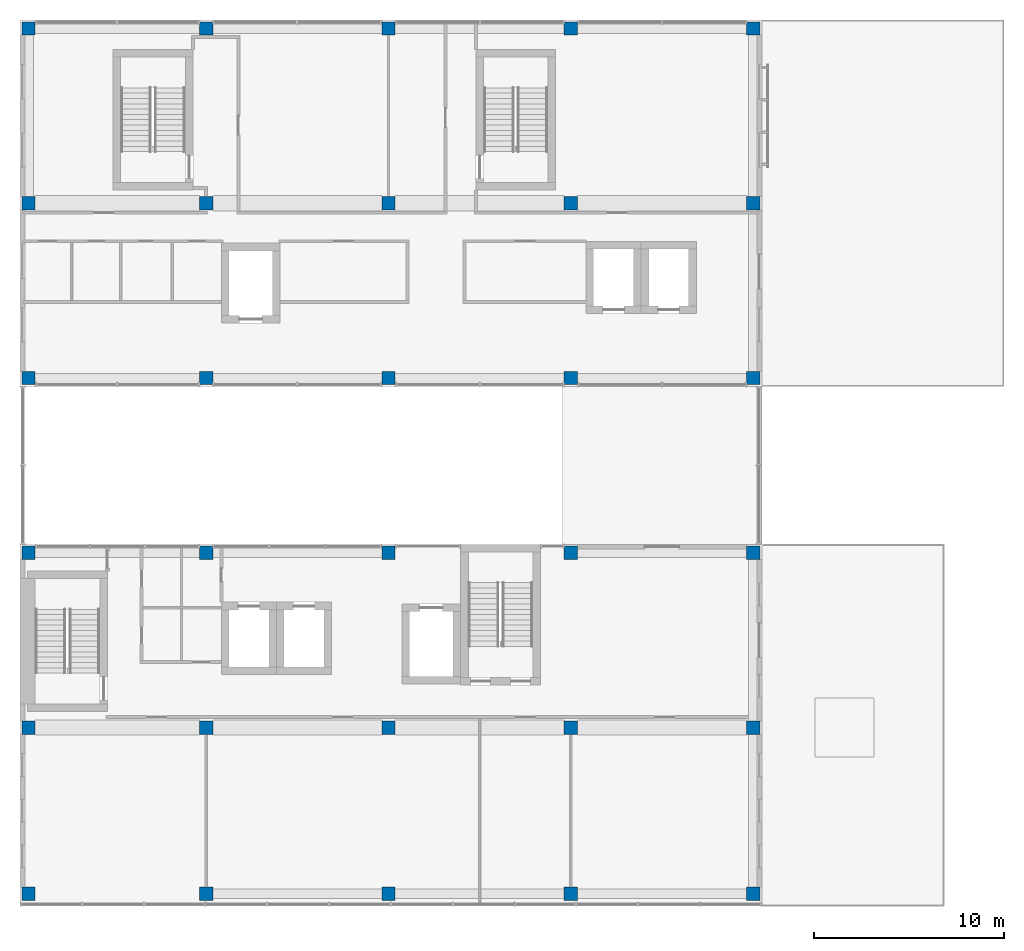
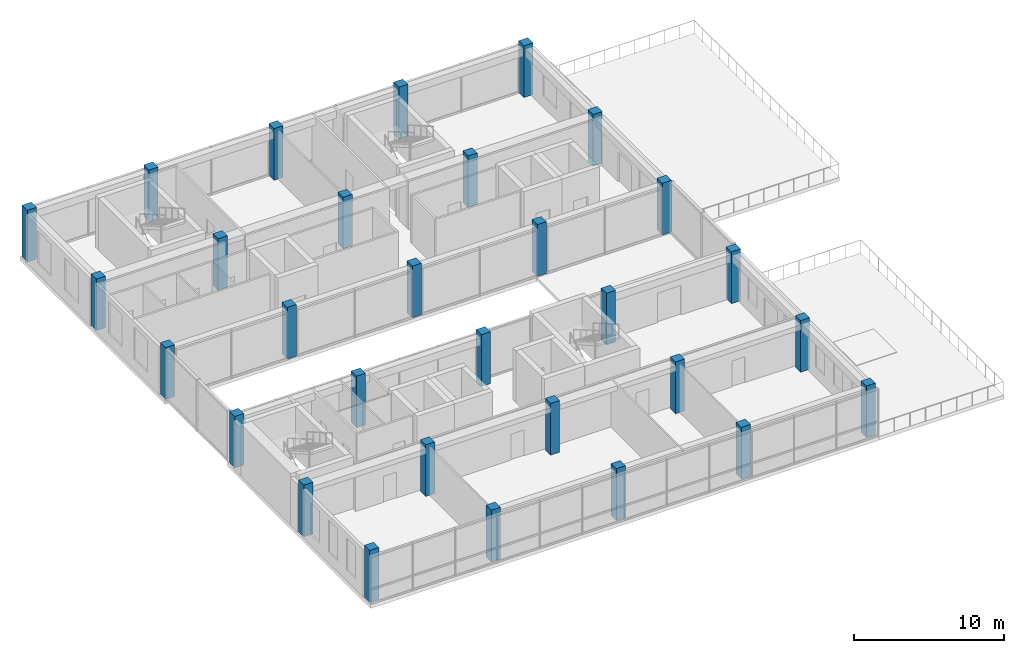
# One storey, part 1 of 27: 30 columns.
"""IFC4 building model written with IfcOpenShell, lengths in metres."""

from ifc_helpers import new_model, si_unit, direction, frame, origin, origin_2d, place, context, subcontext, project, spatial, rectangle, extrude, material, material_profile, profile_set, type_object, element, save


model = new_model("IFC4")

# Units and contexts
model_context = context("Model", 3, precision=1e-05, world=origin(), true_north=direction((0.0, 1.0)))
body_context = subcontext(model_context, "Body", "Model", "MODEL_VIEW")
ifc_project = project(units=[si_unit("LENGTHUNIT", "METRE"), si_unit("AREAUNIT", "SQUARE_METRE"), si_unit("VOLUMEUNIT", "CUBIC_METRE"), si_unit("PLANEANGLEUNIT", "RADIAN"), si_unit("MASSUNIT", "GRAM", prefix="KILO")], contexts=[model_context])

# Site, building, storey
site_placement = place(None, origin())
site = spatial("IfcSite", under=ifc_project, at=site_placement, CompositionType="ELEMENT")
building_placement = place(site_placement, origin())
building = spatial("IfcBuilding", under=site, at=building_placement, Name="Nzadi Deep Aquarium and Research Tower", CompositionType="ELEMENT")
storey_placement = place(building_placement, frame((0.0, 0.0, 69.699951171875)))
storey = spatial("IfcBuildingStorey", under=building, at=storey_placement, Name="L14", CompositionType="ELEMENT", Elevation=69.699951171875)

# Columns
ifc_material = material(Name="Concrete C40/50", Category="concrete")
ifc_material_profile = material_profile(ifc_material, rectangle(XDim=0.699951171875, YDim=0.699951171875, at=origin_2d()))
ifc_profile_set = profile_set([ifc_material_profile], Name="Concrete C40/50")
column_type = type_object("IfcColumnType", Name="RC 700x700", PredefinedType="COLUMN", material=ifc_profile_set)
for number, where, z_axis, x_axis, name in (
    (1, (0.25, 0.449951171875, 0.0), (0.0, 0.0, 1.0), (1.0, 0.0, 0.0), "C-Z1-L14-A1"),
    (2, (9.60009765625, 0.449951171875, 0.0), (0.0, 0.0, 1.0), (1.0, 0.0, 0.0), "C-Z1-L14-B1"),
    (3, (19.199951171875, 0.449951171875, 0.0), (0.0, 0.0, 1.0), (1.0, 0.0, 0.0), "C-Z1-L14-C1"),
    (4, (28.800048828125, 0.449951171875, 0.0), (0.0, 0.0, 1.0), (1.0, 0.0, 0.0), "C-Z1-L14-D1"),
    (5, (38.39990234375, 0.449951171875, 0.0), (0.0, 0.0, 1.0), (1.0, 0.0, 0.0), "C-Z1-L14-E1"),
    (6, (0.25, 9.199951171875, 0.0), (0.0, 0.0, 1.0), (1.0, 0.0, 0.0), "C-Z1-L14-A2"),
    (7, (9.60009765625, 9.199951171875, 0.0), (0.0, 0.0, 1.0), (1.0, 0.0, 0.0), "C-Z1-L14-B2"),
    (8, (19.199951171875, 9.199951171875, 0.0), (0.0, 0.0, 1.0), (1.0, 0.0, 0.0), "C-Z1-L14-C2"),
    (9, (28.800048828125, 9.199951171875, 0.0), (0.0, 0.0, 1.0), (1.0, 0.0, 0.0), "C-Z1-L14-D2"),
    (10, (38.39990234375, 9.199951171875, 0.0), (0.0, 0.0, 1.0), (1.0, 0.0, 0.0), "C-Z1-L14-E2"),
    (11, (0.25, 18.39990234375, 0.0), (0.0, 0.0, 1.0), (1.0, 0.0, 0.0), "C-Z1-L14-A3"),
    (12, (9.60009765625, 18.39990234375, 0.0), (0.0, 0.0, 1.0), (1.0, 0.0, 0.0), "C-Z1-L14-B3"),
    (13, (19.199951171875, 18.39990234375, 0.0), (0.0, 0.0, 1.0), (1.0, 0.0, 0.0), "C-Z1-L14-C3"),
    (14, (28.800048828125, 18.39990234375, 0.0), (0.0, 0.0, 1.0), (1.0, 0.0, 0.0), "C-Z1-L14-D3"),
    (15, (38.39990234375, 18.39990234375, 0.0), (0.0, 0.0, 1.0), (1.0, 0.0, 0.0), "C-Z1-L14-E3"),
    (16, (0.25, 27.60009765625, 0.0), (0.0, 0.0, 1.0), (1.0, 0.0, 0.0), "C-Z1-L14-A4"),
    (17, (9.60009765625, 27.60009765625, 0.0), (0.0, 0.0, 1.0), (1.0, 0.0, 0.0), "C-Z1-L14-B4"),
    (18, (19.199951171875, 27.60009765625, 0.0), (0.0, 0.0, 1.0), (1.0, 0.0, 0.0), "C-Z1-L14-C4"),
    (19, (28.800048828125, 27.60009765625, 0.0), (0.0, 0.0, 1.0), (1.0, 0.0, 0.0), "C-Z1-L14-D4"),
    (20, (38.39990234375, 27.60009765625, 0.0), (0.0, 0.0, 1.0), (1.0, 0.0, 0.0), "C-Z1-L14-E4"),
    (21, (0.25, 36.800048828125, 0.0), (0.0, 0.0, 1.0), (1.0, 0.0, 0.0), "C-Z1-L14-A5"),
    (22, (9.60009765625, 36.800048828125, 0.0), (0.0, 0.0, 1.0), (1.0, 0.0, 0.0), "C-Z1-L14-B5"),
    (23, (19.199951171875, 36.800048828125, 0.0), (0.0, 0.0, 1.0), (1.0, 0.0, 0.0), "C-Z1-L14-C5"),
    (24, (28.800048828125, 36.800048828125, 0.0), (0.0, 0.0, 1.0), (1.0, 0.0, 0.0), "C-Z1-L14-D5"),
    (25, (38.39990234375, 36.800048828125, 0.0), (0.0, 0.0, 1.0), (1.0, 0.0, 0.0), "C-Z1-L14-E5"),
    (26, (0.25, 46.0, 0.0), (0.0, 0.0, 1.0), (1.0, 0.0, 0.0), "C-Z1-L14-A6"),
    (27, (9.60009765625, 46.0, 0.0), (0.0, 0.0, 1.0), (1.0, 0.0, 0.0), "C-Z1-L14-B6"),
    (28, (19.199951171875, 46.0, 0.0), (0.0, 0.0, 1.0), (1.0, 0.0, 0.0), "C-Z1-L14-C6"),
    (29, (28.800048828125, 46.0, 0.0), (0.0, 0.0, 1.0), (1.0, 0.0, 0.0), "C-Z1-L14-D6"),
    (30, (38.39990234375, 46.0, 0.0), (0.0, 0.0, 1.0), (1.0, 0.0, 0.0), "C-Z1-L14-E6"),
):
    element("IfcColumn", number, at=place(storey_placement, frame(where, z_axis=z_axis, x_axis=x_axis)), inside=storey, type_object=column_type, Name=name, PredefinedType="COLUMN", context=body_context, shape_type="SweptSolid", body=[
        extrude(rectangle(XDim=0.699951171875, YDim=0.699951171875, at=origin_2d()), origin(), (0.0, 0.0, 1.0), 4.199951171875),
    ])

save(model, "model.ifc")
